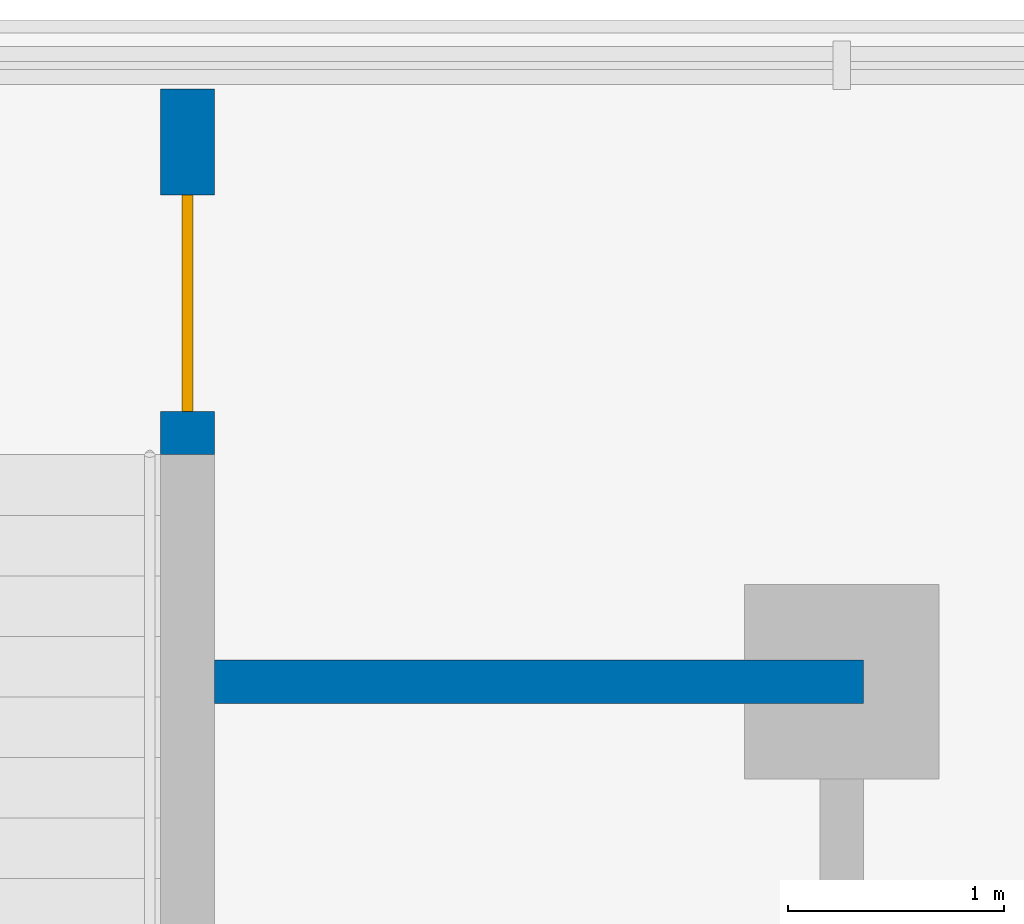
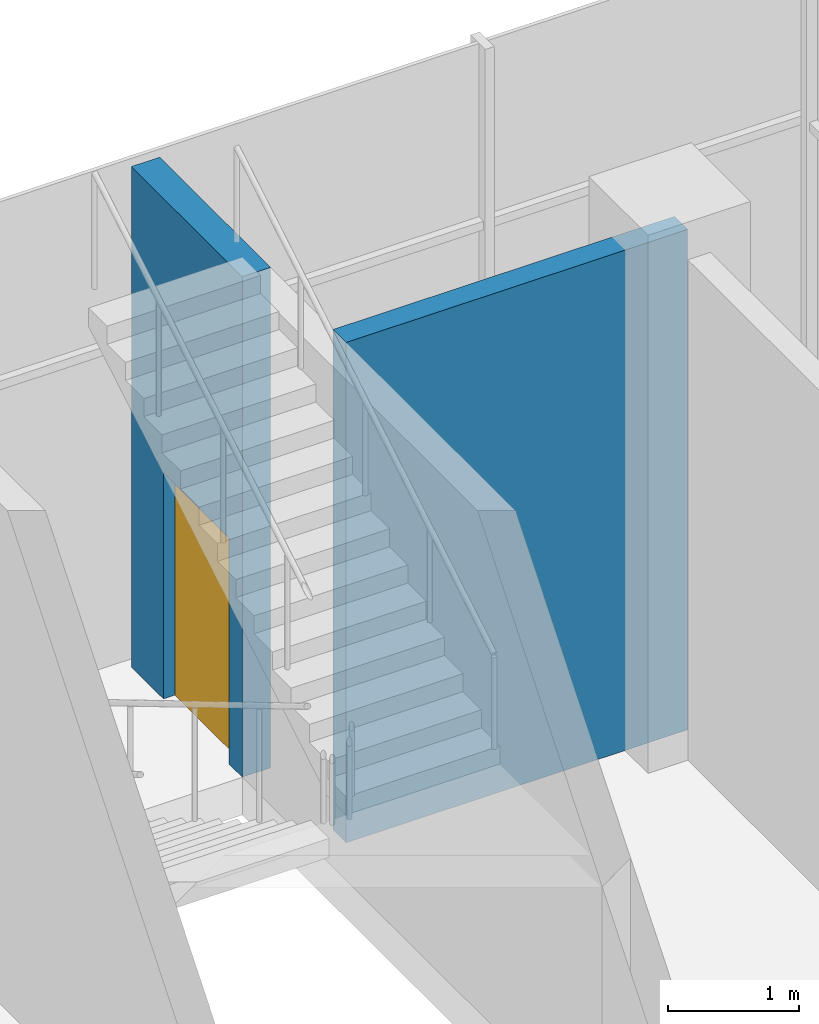
# One storey, part 19 of 22: 2 walls, 1 door, 1 opening.
"""IFC4 building model written with IfcOpenShell, lengths in metres."""

from ifc_helpers import new_model, si_unit, direction, frame, frame_2d, origin, place, context, subcontext, project, spatial, rectangle, extrude, material, layer, layer_set, type_object, element, fill, save


model = new_model("IFC4")

# Units and contexts
model_context = context("Model", 3, precision=1e-05, world=origin(), true_north=direction((0.0, 1.0)))
body_context = subcontext(model_context, "Body", "Model", "MODEL_VIEW")
ifc_project = project(units=[si_unit("LENGTHUNIT", "METRE"), si_unit("AREAUNIT", "SQUARE_METRE"), si_unit("VOLUMEUNIT", "CUBIC_METRE"), si_unit("PLANEANGLEUNIT", "RADIAN"), si_unit("MASSUNIT", "GRAM", prefix="KILO")], contexts=[model_context])

# Site, building, storey
site_placement = place(None, origin())
site = spatial("IfcSite", under=ifc_project, at=site_placement, CompositionType="ELEMENT")
building_placement = place(site_placement, origin())
building = spatial("IfcBuilding", under=site, at=building_placement, Name="Finial Court Residences", CompositionType="ELEMENT")
storey_placement = place(building_placement, frame((0.0, 0.0, 13.5)))
storey = spatial("IfcBuildingStorey", under=building, at=storey_placement, Name="L02", CompositionType="ELEMENT", Elevation=13.5)

# Wall
ifc_material_1 = material(Name="Gypsum board")
ifc_layer_1 = layer(ifc_material_1, 0.02490234375)
ifc_material_2 = material(Name="Acoustic mineral wool in double frame")
ifc_layer_2 = layer(ifc_material_2, 0.14990234375)
ifc_layer_3 = layer(ifc_material_1, 0.02490234375)
ifc_layer_set_1 = layer_set([ifc_layer_1, ifc_layer_2, ifc_layer_3], Name="Corridor wall 200, 1 hour")
wall_type_1 = type_object("IfcWallType", Name="Corridor wall 200, 1 hour", PredefinedType="PARTITIONING", material=ifc_layer_set_1)
wall_1_placement = place(storey_placement, frame((55.60009765625, 31.5, 0.0), z_axis=(0.0, 0.0, 1.0), x_axis=(1.0, 0.0, 0.0)))
element("IfcWall", 1, at=wall_1_placement, inside=storey, type_object=wall_type_1, Name="Partition L02-040", PredefinedType="PARTITIONING", context=body_context, shape_type="SweptSolid", body=[
    extrude(rectangle(XDim=3.0, YDim=0.199951171875, at=frame_2d((1.5, 0.0))), origin(), (0.0, 0.0, 1.0), 4.64990234375),
])

# Wall, opening, door
ifc_material_3 = material(Name="Concrete C50/60", Category="concrete")
ifc_layer_4 = layer(ifc_material_3, 0.25)
ifc_layer_set_2 = layer_set([ifc_layer_4], Name="Stair enclosure wall 250 Concrete C50/60")
wall_type_2 = type_object("IfcWallType", Name="Stair enclosure wall 250 Concrete C50/60", PredefinedType="SHEAR", material=ifc_layer_set_2)
wall_2_placement = place(storey_placement, frame((55.47509765625, 32.550048828125, 0.0), z_axis=(0.0, 0.0, 1.0), x_axis=(0.0, 1.0, 0.0)))
wall_2 = element("IfcWall", 2, at=wall_2_placement, inside=storey, type_object=wall_type_2, Name="Exit Stair 5 enclosure wall L02-E1", PredefinedType="SHEAR", context=body_context, shape_type="SweptSolid", body=[
    extrude(rectangle(XDim=1.68994140625, YDim=0.25, at=frame_2d((0.844970703125, 0.0))), origin(), (0.0, 0.0, 1.0), 4.64990234375),
])
opening_placement = place(wall_2_placement, frame((0.199951171875, 0.0, 0.0)))
opening = element("IfcOpeningElement", 3, at=opening_placement, cuts=wall_2, Name="Opening L02-S5E", PredefinedType="OPENING", context=body_context, shape_type="SweptSolid", body=[
    extrude(rectangle(XDim=1.0, YDim=2.10009765625, at=frame_2d((0.5, 1.050048828125))), frame((0.0, 0.135009765625, 0.0), z_axis=(0.0, -1.0, 0.0), x_axis=(1.0, 0.0, 0.0)), (0.0, 0.0, 1.0), 0.27001953125),
])
ifc_material_4 = material(Name="Steel fire door", Category="steel")
door_type = type_object("IfcDoorType", Name="Stair door 1000 x 2100 EI 90", OperationType="NOTDEFINED", PredefinedType="DOOR", material=ifc_material_4)
door_placement = place(opening_placement, origin())
door = element("IfcDoor", 4, at=door_placement, inside=storey, type_object=door_type, Name="Exit Stair 5 east door L02", OperationType="SINGLE_SWING_RIGHT", OverallHeight=2.10009765625, OverallWidth=1.0, PredefinedType="DOOR", context=body_context, shape_type="SweptSolid", body=[
    extrude(rectangle(XDim=1.0, YDim=2.10009765625, at=frame_2d((0.5, 1.050048828125))), frame((0.0, 0.02490234375, 0.0), z_axis=(0.0, -1.0, 0.0), x_axis=(1.0, 0.0, 0.0)), (0.0, 0.0, 1.0), 0.050048828125),
])
fill(opening, door)

save(model, "model.ifc")
